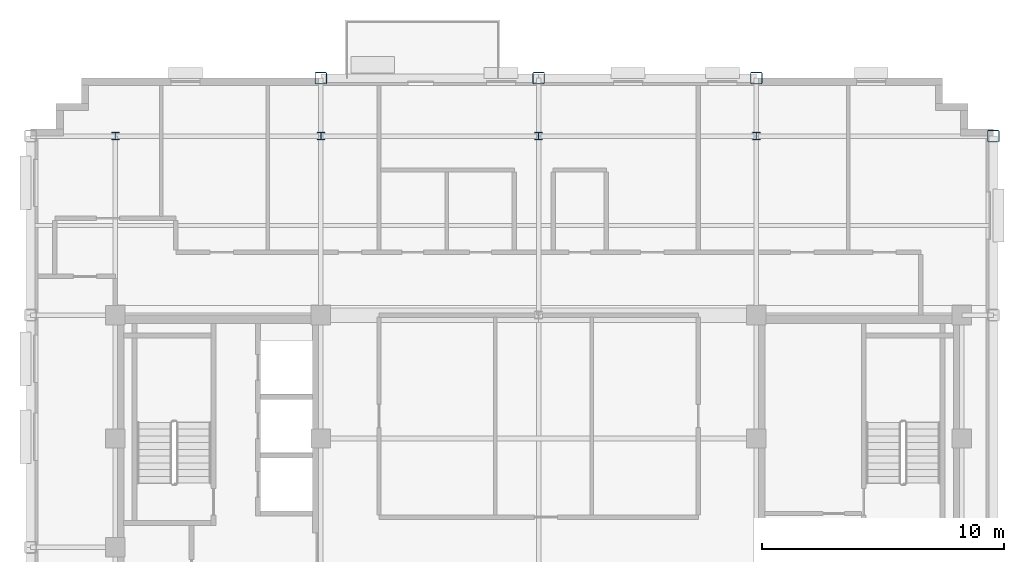
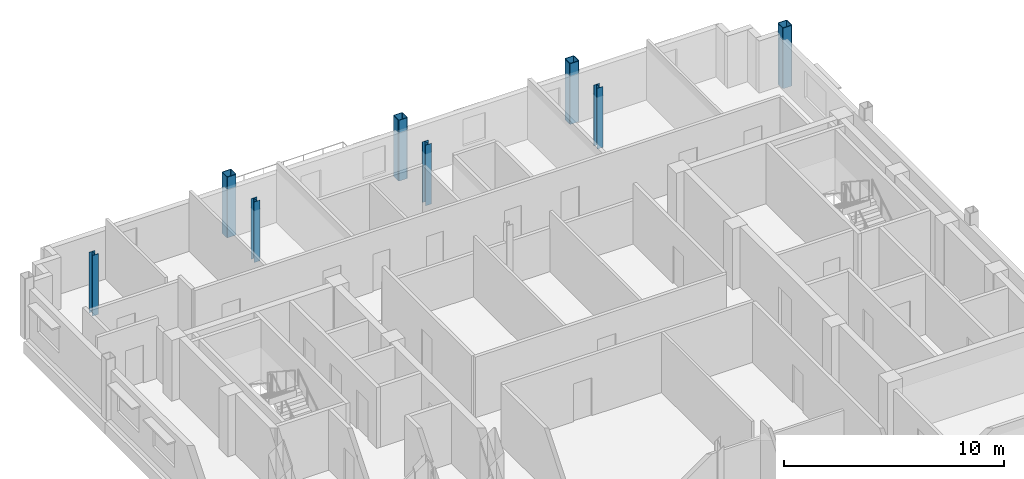
# One storey, part 3 of 14: 8 columns.
"""IFC4 building model written with IfcOpenShell, lengths in metres."""

from ifc_helpers import new_model, si_unit, direction, frame, origin, origin_2d, place, context, subcontext, project, spatial, hollow_rectangle, i_section, extrude, material, material_profile, profile_set, type_object, element, save


model = new_model("IFC4")

# Units and contexts
model_context = context("Model", 3, precision=1e-05, world=origin(), true_north=direction((0.0, 1.0)))
body_context = subcontext(model_context, "Body", "Model", "MODEL_VIEW")
ifc_project = project(units=[si_unit("LENGTHUNIT", "METRE"), si_unit("AREAUNIT", "SQUARE_METRE"), si_unit("VOLUMEUNIT", "CUBIC_METRE"), si_unit("PLANEANGLEUNIT", "RADIAN"), si_unit("MASSUNIT", "GRAM", prefix="KILO")], contexts=[model_context])

# Site, building, storey
site_placement = place(None, origin())
site = spatial("IfcSite", under=ifc_project, at=site_placement, CompositionType="ELEMENT")
building_placement = place(site_placement, origin())
building = spatial("IfcBuilding", under=site, at=building_placement, Name="Nuvemarco Arch Tower", CompositionType="ELEMENT")
storey_placement = place(building_placement, frame((0.0, 0.0, 272.550048828125)))
storey = spatial("IfcBuildingStorey", under=building, at=storey_placement, Name="L72", CompositionType="ELEMENT", Elevation=272.550048828125)

# Columns
ifc_material = material(Name="Steel S355", Category="steel")
ifc_material_profile_1 = material_profile(ifc_material, hollow_rectangle(XDim=0.5, YDim=0.5, WallThickness=0.031982421875, InnerFilletRadius=0.031982421875, OuterFilletRadius=0.06396484375, at=origin_2d()), Name="SHS500x500x32")
ifc_profile_set_1 = profile_set([ifc_material_profile_1], Name="Steel S355")
column_type_1 = type_object("IfcColumnType", Name="COL-EXO-500", PredefinedType="COLUMN", material=ifc_profile_set_1)
for number, where, z_axis, x_axis, name in (
    (1, (18.800048828125, 17.0, 0.0), (0.0, 0.0, 1.0), (1.0, 0.0, 0.0), "L72 column CX_+18.8_+17.0"),
    (2, (-9.0, 19.39990234375, 0.0), (0.0, 0.0, 1.0), (1.0, 0.0, 0.0), "L72 column CY_-9.0_+19.4"),
    (3, (0.0, 19.39990234375, 0.0), (0.0, 0.0, 1.0), (1.0, 0.0, 0.0), "L72 column CY_+0.0_+19.4"),
    (4, (9.0, 19.39990234375, 0.0), (0.0, 0.0, 1.0), (1.0, 0.0, 0.0), "L72 column CY_+9.0_+19.4"),
):
    element("IfcColumn", number, at=place(storey_placement, frame(where, z_axis=z_axis, x_axis=x_axis)), inside=storey, type_object=column_type_1, Name=name, PredefinedType="COLUMN", context=body_context, shape_type="SweptSolid", body=[
        extrude(hollow_rectangle(XDim=0.5, YDim=0.5, WallThickness=0.031982421875, InnerFilletRadius=0.031982421875, OuterFilletRadius=0.06396484375, at=origin_2d()), origin(), (0.0, 0.0, 1.0), 3.369873046875),
    ])
ifc_material_profile_2 = material_profile(ifc_material, i_section(OverallWidth=0.31005859375, OverallDepth=0.31005859375, WebThickness=0.015380859375, FlangeThickness=0.015380859375, FilletRadius=0.014892578125, at=origin_2d()), Name="HP310x110")
ifc_profile_set_2 = profile_set([ifc_material_profile_2], Name="Steel S355")
column_type_2 = type_object("IfcColumnType", Name="COL-STL-HP310", PredefinedType="COLUMN", material=ifc_profile_set_2)
for number, where, z_axis, x_axis, name in (
    (5, (0.0, 17.0, 0.0), (0.0, 0.0, 1.0), (1.0, 0.0, 0.0), "L72 column CI_+0.0_+17.0"),
    (6, (-17.5, 17.0, 0.0), (0.0, 0.0, 1.0), (1.0, 0.0, 0.0), "L72 column CI_-17.5_+17.0"),
    (7, (-9.0, 17.0, 0.0), (0.0, 0.0, 1.0), (1.0, 0.0, 0.0), "L72 column CI_-9.0_+17.0"),
    (8, (9.0, 17.0, 0.0), (0.0, 0.0, 1.0), (1.0, 0.0, 0.0), "L72 column CI_+9.0_+17.0"),
):
    element("IfcColumn", number, at=place(storey_placement, frame(where, z_axis=z_axis, x_axis=x_axis)), inside=storey, type_object=column_type_2, Name=name, PredefinedType="COLUMN", context=body_context, shape_type="SweptSolid", body=[
        extrude(i_section(OverallWidth=0.31005859375, OverallDepth=0.31005859375, WebThickness=0.015380859375, FlangeThickness=0.015380859375, FilletRadius=0.014892578125, at=origin_2d()), origin(), (0.0, 0.0, 1.0), 3.369873046875),
    ])

save(model, "model.ifc")
